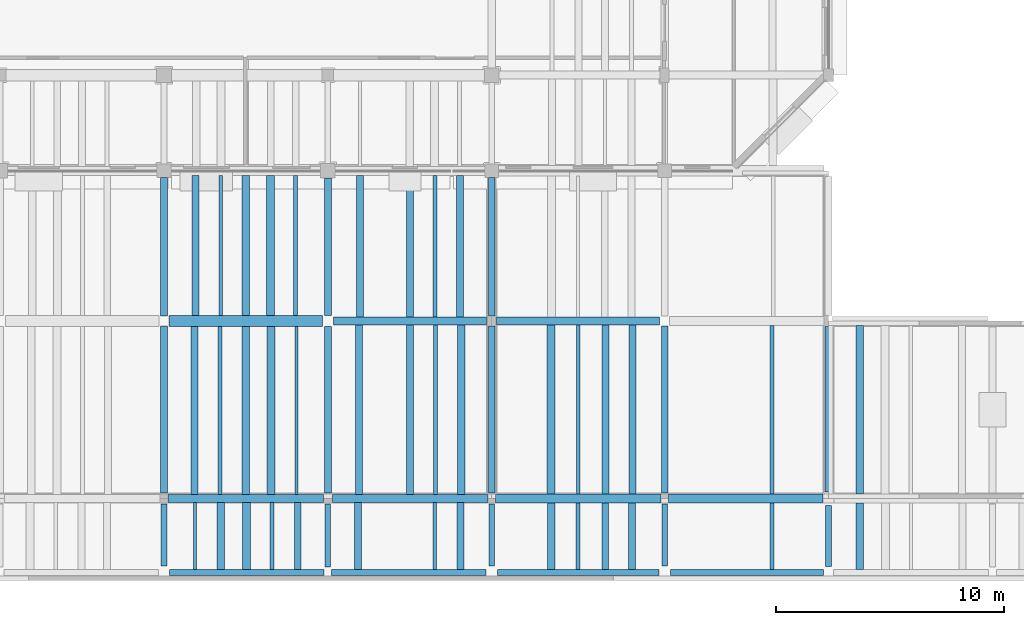
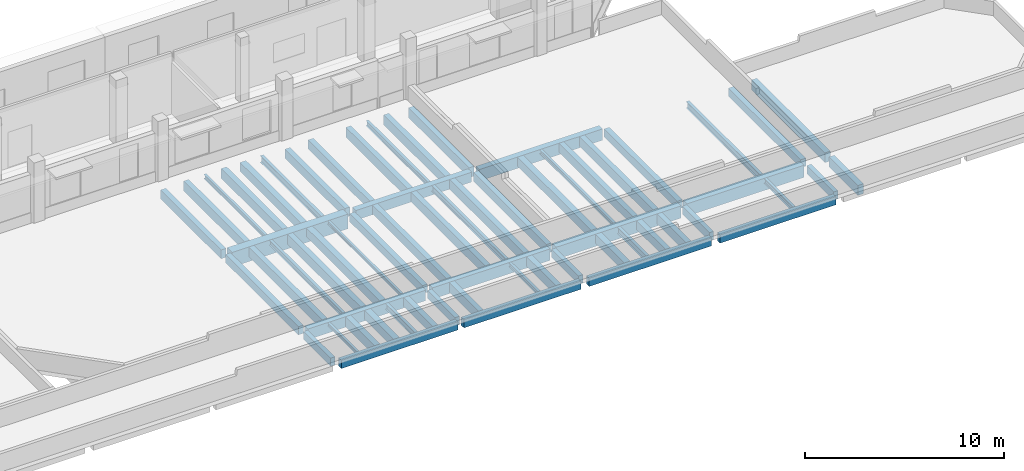
# One storey, part 25 of 105: 62 beams.
"""IFC4 building model written with IfcOpenShell, lengths in metres."""

from ifc_helpers import new_model, si_unit, direction, frame, origin, origin_2d, place, context, subcontext, project, spatial, rectangle, i_section, extrude, material, material_profile, profile_set, type_object, element, save


model = new_model("IFC4")

# Units and contexts
model_context = context("Model", 3, precision=1e-05, world=origin(), true_north=direction((0.0, 1.0)))
body_context = subcontext(model_context, "Body", "Model", "MODEL_VIEW")
ifc_project = project(units=[si_unit("LENGTHUNIT", "METRE"), si_unit("AREAUNIT", "SQUARE_METRE"), si_unit("VOLUMEUNIT", "CUBIC_METRE"), si_unit("PLANEANGLEUNIT", "RADIAN"), si_unit("MASSUNIT", "GRAM", prefix="KILO")], contexts=[model_context])

# Site, building, storey
site_placement = place(None, origin())
site = spatial("IfcSite", under=ifc_project, at=site_placement, CompositionType="ELEMENT")
building_placement = place(site_placement, origin())
building = spatial("IfcBuilding", under=site, at=building_placement, Name="Kelanivale Promenade Academy", CompositionType="ELEMENT")
storey_placement = place(building_placement, frame((0.0, 0.0, 4.199951171875)))
storey = spatial("IfcBuildingStorey", under=building, at=storey_placement, Name="L01", CompositionType="ELEMENT", Elevation=4.199951171875)

# Beams
ifc_material_1 = material(Name="Concrete C35/45", Category="concrete")
ifc_material_profile_1 = material_profile(ifc_material_1, rectangle(XDim=0.5, YDim=0.89990234375, at=origin_2d()), Name="RC-BM 500x900")
ifc_profile_set_1 = profile_set([ifc_material_profile_1], Name="Concrete C35/45")
beam_type_1 = type_object("IfcBeamType", Name="BM-08 RC-BM 500x900", PredefinedType="BEAM", material=ifc_profile_set_1)
beam_1_placement = place(storey_placement, frame((65.02001953125, 11.39990234375, -0.68994140625), z_axis=(1.0, 0.0, 0.0), x_axis=(0.0, 1.0, 0.0)))
element("IfcBeam", 1, at=beam_1_placement, inside=storey, type_object=beam_type_1, Name="L01 girder BM-08", PredefinedType="BEAM", context=body_context, shape_type="SweptSolid", body=[
    extrude(rectangle(XDim=0.5, YDim=0.89990234375, at=origin_2d()), origin(), (0.0, 0.0, 1.0), 6.73486328125),
])
ifc_material_profile_2 = material_profile(ifc_material_1, rectangle(XDim=0.35009765625, YDim=0.60009765625, at=origin_2d()), Name="RC-BM 350x600")
ifc_profile_set_2 = profile_set([ifc_material_profile_2], Name="Concrete C35/45")
beam_type_2 = type_object("IfcBeamType", Name="BM-09 RC-BM 350x600", PredefinedType="BEAM", material=ifc_profile_set_2)
beam_2_placement = place(storey_placement, frame((72.2451171875, 11.39990234375, -0.5400390625), z_axis=(1.0, 0.0, 0.0), x_axis=(0.0, 1.0, 0.0)))
element("IfcBeam", 2, at=beam_2_placement, inside=storey, type_object=beam_type_2, Name="L01 girder BM-09", PredefinedType="BEAM", context=body_context, shape_type="SweptSolid", body=[
    extrude(rectangle(XDim=0.35009765625, YDim=0.60009765625, at=origin_2d()), origin(), (0.0, 0.0, 1.0), 6.73486328125),
])
ifc_material_profile_3 = material_profile(ifc_material_1, rectangle(XDim=0.35009765625, YDim=0.64990234375, at=origin_2d()), Name="RC-BM 350x650")
ifc_profile_set_3 = profile_set([ifc_material_profile_3], Name="Concrete C35/45")
beam_type_3 = type_object("IfcBeamType", Name="BM-10 RC-BM 350x650", PredefinedType="BEAM", material=ifc_profile_set_3)
beam_3_placement = place(storey_placement, frame((64.969970703125, 3.60009765625, -0.56494140625), z_axis=(1.0, 0.0, 0.0), x_axis=(0.0, 1.0, 0.0)))
element("IfcBeam", 3, at=beam_3_placement, inside=storey, type_object=beam_type_3, Name="L01 girder BM-10", PredefinedType="BEAM", context=body_context, shape_type="SweptSolid", body=[
    extrude(rectangle(XDim=0.35009765625, YDim=0.64990234375, at=origin_2d()), origin(), (0.0, 0.0, 1.0), 6.8349609375),
])
ifc_material_profile_4 = material_profile(ifc_material_1, rectangle(XDim=0.35009765625, YDim=0.699951171875, at=origin_2d()), Name="RC-BM 350x700")
ifc_profile_set_4 = profile_set([ifc_material_profile_4], Name="Concrete C35/45")
beam_type_4 = type_object("IfcBeamType", Name="BM-11 RC-BM 350x700", PredefinedType="BEAM", material=ifc_profile_set_4)
beam_4_placement = place(storey_placement, frame((72.195068359375, 3.60009765625, -0.58984375), z_axis=(1.0, 0.0, 0.0), x_axis=(0.0, 1.0, 0.0)))
element("IfcBeam", 4, at=beam_4_placement, inside=storey, type_object=beam_type_4, Name="L01 girder BM-11", PredefinedType="BEAM", context=body_context, shape_type="SweptSolid", body=[
    extrude(rectangle(XDim=0.35009765625, YDim=0.699951171875, at=origin_2d()), origin(), (0.0, 0.0, 1.0), 6.8349609375),
])
beam_5_placement = place(storey_placement, frame((79.419921875, 11.39990234375, -0.58984375), z_axis=(1.0, 0.0, 0.0), x_axis=(0.0, 1.0, 0.0)))
element("IfcBeam", 5, at=beam_5_placement, inside=storey, type_object=beam_type_4, Name="L01 girder BM-11", PredefinedType="BEAM", context=body_context, shape_type="SweptSolid", body=[
    extrude(rectangle(XDim=0.35009765625, YDim=0.699951171875, at=origin_2d()), origin(), (0.0, 0.0, 1.0), 7.16015625),
])
ifc_material_profile_5 = material_profile(ifc_material_1, rectangle(XDim=0.39990234375, YDim=0.75, at=origin_2d()), Name="RC-BM 400x750")
ifc_profile_set_5 = profile_set([ifc_material_profile_5], Name="Concrete C35/45")
beam_type_5 = type_object("IfcBeamType", Name="BM-13 RC-BM 400x750", PredefinedType="BEAM", material=ifc_profile_set_5)
beam_6_placement = place(storey_placement, frame((79.3701171875, 3.60009765625, -0.614990234375), z_axis=(1.0, 0.0, 0.0), x_axis=(0.0, 1.0, 0.0)))
element("IfcBeam", 6, at=beam_6_placement, inside=storey, type_object=beam_type_5, Name="L01 girder BM-13", PredefinedType="BEAM", context=body_context, shape_type="SweptSolid", body=[
    extrude(rectangle(XDim=0.39990234375, YDim=0.75, at=origin_2d()), origin(), (0.0, 0.0, 1.0), 7.259765625),
])
beam_7_placement = place(storey_placement, frame((86.969970703125, 3.60009765625, -0.614990234375), z_axis=(1.0, 0.0, 0.0), x_axis=(0.0, 1.0, 0.0)))
element("IfcBeam", 7, at=beam_7_placement, inside=storey, type_object=beam_type_5, Name="L01 girder BM-13", PredefinedType="BEAM", context=body_context, shape_type="SweptSolid", body=[
    extrude(rectangle(XDim=0.39990234375, YDim=0.75, at=origin_2d()), origin(), (0.0, 0.0, 1.0), 6.784912109375),
])
ifc_material_profile_6 = material_profile(ifc_material_1, rectangle(XDim=0.300048828125, YDim=0.5, at=origin_2d()), Name="RC-BM 300x500")
ifc_profile_set_6 = profile_set([ifc_material_profile_6], Name="Concrete C35/45")
beam_type_6 = type_object("IfcBeamType", Name="JS-01 RC-BM 300x500", PredefinedType="JOIST", material=ifc_profile_set_6)
beam_8_placement = place(storey_placement, frame((64.800048828125, 3.844970703125, -0.489990234375), z_axis=(0.0, 1.0, 0.0), x_axis=(-1.0, 0.0, 0.0)))
element("IfcBeam", 8, at=beam_8_placement, inside=storey, type_object=beam_type_6, Name="L01 beam JS-01", PredefinedType="JOIST", context=body_context, shape_type="SweptSolid", body=[
    extrude(rectangle(XDim=0.300048828125, YDim=0.5, at=origin_2d()), origin(), (0.0, 0.0, 1.0), 7.3349609375),
])
beam_9_placement = place(storey_placement, frame((72.0, 3.844970703125, -0.489990234375), z_axis=(0.0, 1.0, 0.0), x_axis=(-1.0, 0.0, 0.0)))
element("IfcBeam", 9, at=beam_9_placement, inside=storey, type_object=beam_type_6, Name="L01 beam JS-01", PredefinedType="JOIST", context=body_context, shape_type="SweptSolid", body=[
    extrude(rectangle(XDim=0.300048828125, YDim=0.5, at=origin_2d()), origin(), (0.0, 0.0, 1.0), 7.31005859375),
])
beam_10_placement = place(storey_placement, frame((86.800048828125, 3.844970703125, -0.489990234375), z_axis=(0.0, 1.0, 0.0), x_axis=(-1.0, 0.0, 0.0)))
element("IfcBeam", 10, at=beam_10_placement, inside=storey, type_object=beam_type_6, Name="L01 beam JS-01", PredefinedType="JOIST", context=body_context, shape_type="SweptSolid", body=[
    extrude(rectangle(XDim=0.300048828125, YDim=0.5, at=origin_2d()), origin(), (0.0, 0.0, 1.0), 7.3349609375),
])
beam_11_placement = place(storey_placement, frame((94.0, 3.89501953125, -0.489990234375), z_axis=(0.0, 1.0, 0.0), x_axis=(-1.0, 0.0, 0.0)))
element("IfcBeam", 11, at=beam_11_placement, inside=storey, type_object=beam_type_6, Name="L01 beam JS-01", PredefinedType="JOIST", context=body_context, shape_type="SweptSolid", body=[
    extrude(rectangle(XDim=0.300048828125, YDim=0.5, at=origin_2d()), origin(), (0.0, 0.0, 1.0), 7.260009765625),
])
ifc_material_profile_7 = material_profile(ifc_material_1, rectangle(XDim=0.300048828125, YDim=0.550048828125, at=origin_2d()), Name="RC-BM 300x550")
ifc_profile_set_7 = profile_set([ifc_material_profile_7], Name="Concrete C35/45")
beam_type_7 = type_object("IfcBeamType", Name="JS-02 RC-BM 300x550", PredefinedType="JOIST", material=ifc_profile_set_7)
beam_12_placement = place(storey_placement, frame((64.800048828125, 11.6201171875, -0.514892578125), z_axis=(0.0, 1.0, 0.0), x_axis=(-1.0, 0.0, 0.0)))
element("IfcBeam", 12, at=beam_12_placement, inside=storey, type_object=beam_type_7, Name="L01 beam JS-02", PredefinedType="JOIST", context=body_context, shape_type="SweptSolid", body=[
    extrude(rectangle(XDim=0.300048828125, YDim=0.550048828125, at=origin_2d()), origin(), (0.0, 0.0, 1.0), 6.0849609375),
])
beam_13_placement = place(storey_placement, frame((72.0, 11.64501953125, -0.514892578125), z_axis=(0.0, 1.0, 0.0), x_axis=(-1.0, 0.0, 0.0)))
element("IfcBeam", 13, at=beam_13_placement, inside=storey, type_object=beam_type_7, Name="L01 beam JS-02", PredefinedType="JOIST", context=body_context, shape_type="SweptSolid", body=[
    extrude(rectangle(XDim=0.300048828125, YDim=0.550048828125, at=origin_2d()), origin(), (0.0, 0.0, 1.0), 6.034912109375),
])
beam_14_placement = place(storey_placement, frame((79.199951171875, 3.844970703125, -0.514892578125), z_axis=(0.0, 1.0, 0.0), x_axis=(-1.0, 0.0, 0.0)))
element("IfcBeam", 14, at=beam_14_placement, inside=storey, type_object=beam_type_7, Name="L01 beam JS-02", PredefinedType="JOIST", context=body_context, shape_type="SweptSolid", body=[
    extrude(rectangle(XDim=0.300048828125, YDim=0.550048828125, at=origin_2d()), origin(), (0.0, 0.0, 1.0), 7.3349609375),
])
beam_15_placement = place(storey_placement, frame((70.677978515625, 0.489990234375, -0.514892578125), z_axis=(0.0, 1.0, 0.0), x_axis=(-1.0, 0.0, 0.0)))
element("IfcBeam", 15, at=beam_15_placement, inside=storey, type_object=beam_type_7, Name="L01 secondary sub-beam JS-02", PredefinedType="JOIST", context=body_context, shape_type="SweptSolid", body=[
    extrude(rectangle(XDim=0.300048828125, YDim=0.550048828125, at=origin_2d()), origin(), (0.0, 0.0, 1.0), 2.93505859375),
])
beam_16_placement = place(storey_placement, frame((84.18505859375, 0.489990234375, -0.514892578125), z_axis=(0.0, 1.0, 0.0), x_axis=(-1.0, 0.0, 0.0)))
element("IfcBeam", 16, at=beam_16_placement, inside=storey, type_object=beam_type_7, Name="L01 secondary sub-beam JS-02", PredefinedType="JOIST", context=body_context, shape_type="SweptSolid", body=[
    extrude(rectangle(XDim=0.300048828125, YDim=0.550048828125, at=origin_2d()), origin(), (0.0, 0.0, 1.0), 2.909912109375),
])
beam_17_placement = place(storey_placement, frame((73.367919921875, 3.77490234375, -0.514892578125), z_axis=(0.0, 1.0, 0.0), x_axis=(-1.0, 0.0, 0.0)))
element("IfcBeam", 17, at=beam_17_placement, inside=storey, type_object=beam_type_7, Name="L01 secondary sub-beam JS-02", PredefinedType="JOIST", context=body_context, shape_type="SweptSolid", body=[
    extrude(rectangle(XDim=0.300048828125, YDim=0.550048828125, at=origin_2d()), origin(), (0.0, 0.0, 1.0), 7.4501953125),
])
beam_18_placement = place(storey_placement, frame((84.193115234375, 3.800048828125, -0.514892578125), z_axis=(0.0, 1.0, 0.0), x_axis=(-1.0, 0.0, 0.0)))
element("IfcBeam", 18, at=beam_18_placement, inside=storey, type_object=beam_type_7, Name="L01 secondary sub-beam JS-02", PredefinedType="JOIST", context=body_context, shape_type="SweptSolid", body=[
    extrude(rectangle(XDim=0.300048828125, YDim=0.550048828125, at=origin_2d()), origin(), (0.0, 0.0, 1.0), 7.425048828125),
])
beam_19_placement = place(storey_placement, frame((73.4169921875, 11.574951171875, -0.514892578125), z_axis=(0.0, 1.0, 0.0), x_axis=(-1.0, 0.0, 0.0)))
element("IfcBeam", 19, at=beam_19_placement, inside=storey, type_object=beam_type_7, Name="L01 secondary sub-beam JS-02", PredefinedType="JOIST", context=body_context, shape_type="SweptSolid", body=[
    extrude(rectangle(XDim=0.300048828125, YDim=0.550048828125, at=origin_2d()), origin(), (0.0, 0.0, 1.0), 6.22509765625),
])
ifc_material_profile_8 = material_profile(ifc_material_1, rectangle(XDim=0.300048828125, YDim=0.60009765625, at=origin_2d()), Name="RC-BM 300x600")
ifc_profile_set_8 = profile_set([ifc_material_profile_8], Name="Concrete C35/45")
beam_type_8 = type_object("IfcBeamType", Name="JS-03 RC-BM 300x600", PredefinedType="JOIST", material=ifc_profile_set_8)
beam_20_placement = place(storey_placement, frame((79.199951171875, 11.6201171875, -0.5400390625), z_axis=(0.0, 1.0, 0.0), x_axis=(-1.0, 0.0, 0.0)))
element("IfcBeam", 20, at=beam_20_placement, inside=storey, type_object=beam_type_8, Name="L01 beam JS-03", PredefinedType="JOIST", context=body_context, shape_type="SweptSolid", body=[
    extrude(rectangle(XDim=0.300048828125, YDim=0.60009765625, at=origin_2d()), origin(), (0.0, 0.0, 1.0), 6.0849609375),
])
beam_21_placement = place(storey_placement, frame((73.322021484375, 0.489990234375, -0.5400390625), z_axis=(0.0, 1.0, 0.0), x_axis=(-1.0, 0.0, 0.0)))
element("IfcBeam", 21, at=beam_21_placement, inside=storey, type_object=beam_type_8, Name="L01 secondary sub-beam JS-03", PredefinedType="JOIST", context=body_context, shape_type="SweptSolid", body=[
    extrude(rectangle(XDim=0.300048828125, YDim=0.60009765625, at=origin_2d()), origin(), (0.0, 0.0, 1.0), 2.93505859375),
])
beam_22_placement = place(storey_placement, frame((85.3701171875, 0.489990234375, -0.5400390625), z_axis=(0.0, 1.0, 0.0), x_axis=(-1.0, 0.0, 0.0)))
element("IfcBeam", 22, at=beam_22_placement, inside=storey, type_object=beam_type_8, Name="L01 secondary sub-beam JS-03", PredefinedType="JOIST", context=body_context, shape_type="SweptSolid", body=[
    extrude(rectangle(XDim=0.300048828125, YDim=0.60009765625, at=origin_2d()), origin(), (0.0, 0.0, 1.0), 2.909912109375),
])
beam_23_placement = place(storey_placement, frame((66.14208984375, 3.77490234375, -0.5400390625), z_axis=(0.0, 1.0, 0.0), x_axis=(-1.0, 0.0, 0.0)))
element("IfcBeam", 23, at=beam_23_placement, inside=storey, type_object=beam_type_8, Name="L01 secondary sub-beam JS-03", PredefinedType="JOIST", context=body_context, shape_type="SweptSolid", body=[
    extrude(rectangle(XDim=0.300048828125, YDim=0.60009765625, at=origin_2d()), origin(), (0.0, 0.0, 1.0), 7.375),
])
beam_24_placement = place(storey_placement, frame((75.613037109375, 3.77490234375, -0.5400390625), z_axis=(0.0, 1.0, 0.0), x_axis=(-1.0, 0.0, 0.0)))
element("IfcBeam", 24, at=beam_24_placement, inside=storey, type_object=beam_type_8, Name="L01 secondary sub-beam JS-03", PredefinedType="JOIST", context=body_context, shape_type="SweptSolid", body=[
    extrude(rectangle(XDim=0.300048828125, YDim=0.60009765625, at=origin_2d()), origin(), (0.0, 0.0, 1.0), 7.4501953125),
])
beam_25_placement = place(storey_placement, frame((85.386962890625, 3.800048828125, -0.5400390625), z_axis=(0.0, 1.0, 0.0), x_axis=(-1.0, 0.0, 0.0)))
element("IfcBeam", 25, at=beam_25_placement, inside=storey, type_object=beam_type_8, Name="L01 secondary sub-beam JS-03", PredefinedType="JOIST", context=body_context, shape_type="SweptSolid", body=[
    extrude(rectangle(XDim=0.300048828125, YDim=0.60009765625, at=origin_2d()), origin(), (0.0, 0.0, 1.0), 7.425048828125),
])
beam_26_placement = place(storey_placement, frame((66.19189453125, 11.64990234375, -0.5400390625), z_axis=(0.0, 1.0, 0.0), x_axis=(-1.0, 0.0, 0.0)))
element("IfcBeam", 26, at=beam_26_placement, inside=storey, type_object=beam_type_8, Name="L01 secondary sub-beam JS-03", PredefinedType="JOIST", context=body_context, shape_type="SweptSolid", body=[
    extrude(rectangle(XDim=0.300048828125, YDim=0.60009765625, at=origin_2d()), origin(), (0.0, 0.0, 1.0), 6.150146484375),
])
beam_27_placement = place(storey_placement, frame((75.612060546875, 11.574951171875, -0.5400390625), z_axis=(0.0, 1.0, 0.0), x_axis=(-1.0, 0.0, 0.0)))
element("IfcBeam", 27, at=beam_27_placement, inside=storey, type_object=beam_type_8, Name="L01 secondary sub-beam JS-03", PredefinedType="JOIST", context=body_context, shape_type="SweptSolid", body=[
    extrude(rectangle(XDim=0.300048828125, YDim=0.60009765625, at=origin_2d()), origin(), (0.0, 0.0, 1.0), 6.22509765625),
])
ifc_material_profile_9 = material_profile(ifc_material_1, rectangle(XDim=0.320068359375, YDim=0.60009765625, at=origin_2d()), Name="RC-BM 320x600")
ifc_profile_set_9 = profile_set([ifc_material_profile_9], Name="Concrete C35/45")
beam_type_9 = type_object("IfcBeamType", Name="JS-05 RC-BM 320x600", PredefinedType="JOIST", material=ifc_profile_set_9)
for number, where, z_axis, x_axis, name in (
    (28, (67.298095703125, 0.489990234375, -0.5400390625), (0.0, 1.0, 0.0), (-1.0, 0.0, 0.0), "L01 secondary sub-beam JS-05"),
    (29, (77.827880859375, 0.489990234375, -0.5400390625), (0.0, 1.0, 0.0), (-1.0, 0.0, 0.0), "L01 secondary sub-beam JS-05"),
):
    element("IfcBeam", number, at=place(storey_placement, frame(where, z_axis=z_axis, x_axis=x_axis)), inside=storey, type_object=beam_type_9, Name=name, PredefinedType="JOIST", context=body_context, shape_type="SweptSolid", body=[
        extrude(rectangle(XDim=0.320068359375, YDim=0.60009765625, at=origin_2d()), origin(), (0.0, 0.0, 1.0), 2.93505859375),
    ])
beam_28_placement = place(storey_placement, frame((95.3720703125, 0.489990234375, -0.5400390625), z_axis=(0.0, 1.0, 0.0), x_axis=(-1.0, 0.0, 0.0)))
element("IfcBeam", 30, at=beam_28_placement, inside=storey, type_object=beam_type_9, Name="L01 secondary sub-beam JS-05", PredefinedType="JOIST", context=body_context, shape_type="SweptSolid", body=[
    extrude(rectangle(XDim=0.320068359375, YDim=0.60009765625, at=origin_2d()), origin(), (0.0, 0.0, 1.0), 2.909912109375),
])
beam_29_placement = place(storey_placement, frame((68.386962890625, 3.77490234375, -0.5400390625), z_axis=(0.0, 1.0, 0.0), x_axis=(-1.0, 0.0, 0.0)))
element("IfcBeam", 31, at=beam_29_placement, inside=storey, type_object=beam_type_9, Name="L01 secondary sub-beam JS-05", PredefinedType="JOIST", context=body_context, shape_type="SweptSolid", body=[
    extrude(rectangle(XDim=0.320068359375, YDim=0.60009765625, at=origin_2d()), origin(), (0.0, 0.0, 1.0), 7.375),
])
beam_30_placement = place(storey_placement, frame((77.85791015625, 3.77490234375, -0.5400390625), z_axis=(0.0, 1.0, 0.0), x_axis=(-1.0, 0.0, 0.0)))
element("IfcBeam", 32, at=beam_30_placement, inside=storey, type_object=beam_type_9, Name="L01 secondary sub-beam JS-05", PredefinedType="JOIST", context=body_context, shape_type="SweptSolid", body=[
    extrude(rectangle(XDim=0.320068359375, YDim=0.60009765625, at=origin_2d()), origin(), (0.0, 0.0, 1.0), 7.4501953125),
])
beam_31_placement = place(storey_placement, frame((95.367919921875, 3.800048828125, -0.5400390625), z_axis=(0.0, 1.0, 0.0), x_axis=(-1.0, 0.0, 0.0)))
element("IfcBeam", 33, at=beam_31_placement, inside=storey, type_object=beam_type_9, Name="L01 secondary sub-beam JS-05", PredefinedType="JOIST", context=body_context, shape_type="SweptSolid", body=[
    extrude(rectangle(XDim=0.320068359375, YDim=0.60009765625, at=origin_2d()), origin(), (0.0, 0.0, 1.0), 7.39990234375),
])
beam_32_placement = place(storey_placement, frame((68.387939453125, 11.64990234375, -0.5400390625), z_axis=(0.0, 1.0, 0.0), x_axis=(-1.0, 0.0, 0.0)))
element("IfcBeam", 34, at=beam_32_placement, inside=storey, type_object=beam_type_9, Name="L01 secondary sub-beam JS-05", PredefinedType="JOIST", context=body_context, shape_type="SweptSolid", body=[
    extrude(rectangle(XDim=0.320068359375, YDim=0.60009765625, at=origin_2d()), origin(), (0.0, 0.0, 1.0), 6.150146484375),
])
beam_33_placement = place(storey_placement, frame((77.80810546875, 11.574951171875, -0.5400390625), z_axis=(0.0, 1.0, 0.0), x_axis=(-1.0, 0.0, 0.0)))
element("IfcBeam", 35, at=beam_33_placement, inside=storey, type_object=beam_type_9, Name="L01 secondary sub-beam JS-05", PredefinedType="JOIST", context=body_context, shape_type="SweptSolid", body=[
    extrude(rectangle(XDim=0.320068359375, YDim=0.60009765625, at=origin_2d()), origin(), (0.0, 0.0, 1.0), 6.22509765625),
])
ifc_material_profile_10 = material_profile(ifc_material_1, rectangle(XDim=0.35009765625, YDim=0.550048828125, at=origin_2d()), Name="RC-BM 350x550")
ifc_profile_set_10 = profile_set([ifc_material_profile_10], Name="Concrete C35/45")
beam_type_10 = type_object("IfcBeamType", Name="JS-06 RC-BM 350x550", PredefinedType="JOIST", material=ifc_profile_set_10)
beam_34_placement = place(storey_placement, frame((68.425048828125, 0.489990234375, -0.514892578125), z_axis=(0.0, 1.0, 0.0), x_axis=(-1.0, 0.0, 0.0)))
element("IfcBeam", 36, at=beam_34_placement, inside=storey, type_object=beam_type_10, Name="L01 secondary sub-beam JS-06", PredefinedType="JOIST", context=body_context, shape_type="SweptSolid", body=[
    extrude(rectangle(XDim=0.35009765625, YDim=0.550048828125, at=origin_2d()), origin(), (0.0, 0.0, 1.0), 2.93505859375),
])
beam_35_placement = place(storey_placement, frame((81.81494140625, 0.489990234375, -0.514892578125), z_axis=(0.0, 1.0, 0.0), x_axis=(-1.0, 0.0, 0.0)))
element("IfcBeam", 37, at=beam_35_placement, inside=storey, type_object=beam_type_10, Name="L01 secondary sub-beam JS-06", PredefinedType="JOIST", context=body_context, shape_type="SweptSolid", body=[
    extrude(rectangle(XDim=0.35009765625, YDim=0.550048828125, at=origin_2d()), origin(), (0.0, 0.0, 1.0), 2.909912109375),
])
beam_36_placement = place(storey_placement, frame((69.510009765625, 3.77490234375, -0.514892578125), z_axis=(0.0, 1.0, 0.0), x_axis=(-1.0, 0.0, 0.0)))
element("IfcBeam", 38, at=beam_36_placement, inside=storey, type_object=beam_type_10, Name="L01 secondary sub-beam JS-06", PredefinedType="JOIST", context=body_context, shape_type="SweptSolid", body=[
    extrude(rectangle(XDim=0.35009765625, YDim=0.550048828125, at=origin_2d()), origin(), (0.0, 0.0, 1.0), 7.375),
])
beam_37_placement = place(storey_placement, frame((81.806884765625, 3.800048828125, -0.514892578125), z_axis=(0.0, 1.0, 0.0), x_axis=(-1.0, 0.0, 0.0)))
element("IfcBeam", 39, at=beam_37_placement, inside=storey, type_object=beam_type_10, Name="L01 secondary sub-beam JS-06", PredefinedType="JOIST", context=body_context, shape_type="SweptSolid", body=[
    extrude(rectangle(XDim=0.35009765625, YDim=0.550048828125, at=origin_2d()), origin(), (0.0, 0.0, 1.0), 7.425048828125),
])
beam_38_placement = place(storey_placement, frame((69.485107421875, 11.64990234375, -0.514892578125), z_axis=(0.0, 1.0, 0.0), x_axis=(-1.0, 0.0, 0.0)))
element("IfcBeam", 40, at=beam_38_placement, inside=storey, type_object=beam_type_10, Name="L01 secondary sub-beam JS-06", PredefinedType="JOIST", context=body_context, shape_type="SweptSolid", body=[
    extrude(rectangle(XDim=0.35009765625, YDim=0.550048828125, at=origin_2d()), origin(), (0.0, 0.0, 1.0), 6.150146484375),
])
ifc_material_profile_11 = material_profile(ifc_material_1, rectangle(XDim=0.25, YDim=0.5, at=origin_2d()), Name="RC-BM 250x500")
ifc_profile_set_11 = profile_set([ifc_material_profile_11], Name="Concrete C35/45")
beam_type_11 = type_object("IfcBeamType", Name="LN-02 RC-BM 250x500", PredefinedType="LINTEL", material=ifc_profile_set_11)
beam_39_placement = place(storey_placement, frame((64.800048828125, 0.64501953125, -0.489990234375), z_axis=(0.0, 1.0, 0.0), x_axis=(-1.0, 0.0, 0.0)))
element("IfcBeam", 41, at=beam_39_placement, inside=storey, type_object=beam_type_11, Name="L01 beam LN-02", PredefinedType="LINTEL", context=body_context, shape_type="SweptSolid", body=[
    extrude(rectangle(XDim=0.25, YDim=0.5, at=origin_2d()), origin(), (0.0, 0.0, 1.0), 2.7099609375),
])
beam_40_placement = place(storey_placement, frame((72.0, 0.594970703125, -0.489990234375), z_axis=(0.0, 1.0, 0.0), x_axis=(-1.0, 0.0, 0.0)))
element("IfcBeam", 42, at=beam_40_placement, inside=storey, type_object=beam_type_11, Name="L01 beam LN-02", PredefinedType="LINTEL", context=body_context, shape_type="SweptSolid", body=[
    extrude(rectangle(XDim=0.25, YDim=0.5, at=origin_2d()), origin(), (0.0, 0.0, 1.0), 2.760009765625),
])
for number, where, z_axis, x_axis, name in (
    (43, (79.199951171875, 0.64501953125, -0.489990234375), (0.0, 1.0, 0.0), (-1.0, 0.0, 0.0), "L01 beam LN-02"),
    (44, (86.800048828125, 0.64501953125, -0.489990234375), (0.0, 1.0, 0.0), (-1.0, 0.0, 0.0), "L01 beam LN-02"),
):
    element("IfcBeam", number, at=place(storey_placement, frame(where, z_axis=z_axis, x_axis=x_axis)), inside=storey, type_object=beam_type_11, Name=name, PredefinedType="LINTEL", context=body_context, shape_type="SweptSolid", body=[
        extrude(rectangle(XDim=0.25, YDim=0.5, at=origin_2d()), origin(), (0.0, 0.0, 1.0), 2.7099609375),
    ])
beam_41_placement = place(storey_placement, frame((94.0, 0.6201171875, -0.489990234375), z_axis=(0.0, 1.0, 0.0), x_axis=(-1.0, 0.0, 0.0)))
element("IfcBeam", 45, at=beam_41_placement, inside=storey, type_object=beam_type_11, Name="L01 beam LN-02", PredefinedType="LINTEL", context=body_context, shape_type="SweptSolid", body=[
    extrude(rectangle(XDim=0.25, YDim=0.5, at=origin_2d()), origin(), (0.0, 0.0, 1.0), 2.684814453125),
])
ifc_material_2 = material(Name="Steel S355", Category="steel")
ifc_material_profile_12 = material_profile(ifc_material_2, i_section(OverallWidth=0.13330078125, OverallDepth=0.203125, WebThickness=0.005615234375, FlangeThickness=0.0078125, FilletRadius=0.007568359375, at=origin_2d()), Name="UB 203x133x25")
ifc_profile_set_12 = profile_set([ifc_material_profile_12], Name="Steel S355")
beam_type_12 = type_object("IfcBeamType", Name="SB-01 UB 203x133x25", PredefinedType="JOIST", material=ifc_profile_set_12)
beam_42_placement = place(storey_placement, frame((66.172119140625, 0.489990234375, -0.342041015625), z_axis=(0.0, 1.0, 0.0), x_axis=(-1.0, 0.0, 0.0)))
element("IfcBeam", 46, at=beam_42_placement, inside=storey, type_object=beam_type_12, Name="L01 secondary sub-beam SB-01", PredefinedType="JOIST", context=body_context, shape_type="SweptSolid", body=[
    extrude(i_section(OverallWidth=0.13330078125, OverallDepth=0.203125, WebThickness=0.005615234375, FlangeThickness=0.0078125, FilletRadius=0.007568359375, at=origin_2d()), origin(), (0.0, 0.0, 1.0), 2.93505859375),
])
beam_43_placement = place(storey_placement, frame((70.632080078125, 3.77490234375, -0.342041015625), z_axis=(0.0, 1.0, 0.0), x_axis=(-1.0, 0.0, 0.0)))
element("IfcBeam", 47, at=beam_43_placement, inside=storey, type_object=beam_type_12, Name="L01 secondary sub-beam SB-01", PredefinedType="JOIST", context=body_context, shape_type="SweptSolid", body=[
    extrude(i_section(OverallWidth=0.13330078125, OverallDepth=0.203125, WebThickness=0.005615234375, FlangeThickness=0.0078125, FilletRadius=0.007568359375, at=origin_2d()), origin(), (0.0, 0.0, 1.0), 7.375),
])
ifc_material_profile_13 = material_profile(ifc_material_2, i_section(OverallWidth=0.14599609375, OverallDepth=0.25146484375, WebThickness=0.006103515625, FlangeThickness=0.008544921875, FilletRadius=0.007568359375, at=origin_2d()), Name="UB 254x146x31")
ifc_profile_set_13 = profile_set([ifc_material_profile_13], Name="Steel S355")
beam_type_13 = type_object("IfcBeamType", Name="SB-02 UB 254x146x31", PredefinedType="JOIST", material=ifc_profile_set_13)
beam_44_placement = place(storey_placement, frame((76.701904296875, 0.489990234375, -0.365966796875), z_axis=(0.0, 1.0, 0.0), x_axis=(-1.0, 0.0, 0.0)))
element("IfcBeam", 48, at=beam_44_placement, inside=storey, type_object=beam_type_13, Name="L01 secondary sub-beam SB-02", PredefinedType="JOIST", context=body_context, shape_type="SweptSolid", body=[
    extrude(i_section(OverallWidth=0.14599609375, OverallDepth=0.25146484375, WebThickness=0.006103515625, FlangeThickness=0.008544921875, FilletRadius=0.007568359375, at=origin_2d()), origin(), (0.0, 0.0, 1.0), 2.93505859375),
])
beam_45_placement = place(storey_placement, frame((83.0, 3.800048828125, -0.365966796875), z_axis=(0.0, 1.0, 0.0), x_axis=(-1.0, 0.0, 0.0)))
element("IfcBeam", 49, at=beam_45_placement, inside=storey, type_object=beam_type_13, Name="L01 secondary sub-beam SB-02", PredefinedType="JOIST", context=body_context, shape_type="SweptSolid", body=[
    extrude(i_section(OverallWidth=0.14599609375, OverallDepth=0.25146484375, WebThickness=0.006103515625, FlangeThickness=0.008544921875, FilletRadius=0.007568359375, at=origin_2d()), origin(), (0.0, 0.0, 1.0), 7.425048828125),
])
beam_46_placement = place(storey_placement, frame((67.2900390625, 11.64990234375, -0.365966796875), z_axis=(0.0, 1.0, 0.0), x_axis=(-1.0, 0.0, 0.0)))
element("IfcBeam", 50, at=beam_46_placement, inside=storey, type_object=beam_type_13, Name="L01 secondary sub-beam SB-02", PredefinedType="JOIST", context=body_context, shape_type="SweptSolid", body=[
    extrude(i_section(OverallWidth=0.14599609375, OverallDepth=0.25146484375, WebThickness=0.006103515625, FlangeThickness=0.008544921875, FilletRadius=0.007568359375, at=origin_2d()), origin(), (0.0, 0.0, 1.0), 6.150146484375),
])
ifc_material_profile_14 = material_profile(ifc_material_2, i_section(OverallWidth=0.1650390625, OverallDepth=0.303466796875, WebThickness=0.006103515625, FlangeThickness=0.01025390625, FilletRadius=0.0087890625, at=origin_2d()), Name="UB 305x165x40")
ifc_profile_set_14 = profile_set([ifc_material_profile_14], Name="Steel S355")
beam_type_14 = type_object("IfcBeamType", Name="SB-03 UB 305x165x40", PredefinedType="BEAM", material=ifc_profile_set_14)
beam_47_placement = place(storey_placement, frame((91.51806640625, 0.489990234375, -0.391845703125), z_axis=(0.0, 1.0, 0.0), x_axis=(-1.0, 0.0, 0.0)))
element("IfcBeam", 51, at=beam_47_placement, inside=storey, type_object=beam_type_14, Name="L01 secondary sub-beam SB-03", PredefinedType="BEAM", context=body_context, shape_type="SweptSolid", body=[
    extrude(i_section(OverallWidth=0.1650390625, OverallDepth=0.303466796875, WebThickness=0.006103515625, FlangeThickness=0.01025390625, FilletRadius=0.0087890625, at=origin_2d()), origin(), (0.0, 0.0, 1.0), 2.909912109375),
])
beam_48_placement = place(storey_placement, frame((67.264892578125, 3.77490234375, -0.391845703125), z_axis=(0.0, 1.0, 0.0), x_axis=(-1.0, 0.0, 0.0)))
element("IfcBeam", 52, at=beam_48_placement, inside=storey, type_object=beam_type_14, Name="L01 secondary sub-beam SB-03", PredefinedType="BEAM", context=body_context, shape_type="SweptSolid", body=[
    extrude(i_section(OverallWidth=0.1650390625, OverallDepth=0.303466796875, WebThickness=0.006103515625, FlangeThickness=0.01025390625, FilletRadius=0.0087890625, at=origin_2d()), origin(), (0.0, 0.0, 1.0), 7.375),
])
beam_49_placement = place(storey_placement, frame((76.7099609375, 11.574951171875, -0.391845703125), z_axis=(0.0, 1.0, 0.0), x_axis=(-1.0, 0.0, 0.0)))
element("IfcBeam", 53, at=beam_49_placement, inside=storey, type_object=beam_type_14, Name="L01 secondary sub-beam SB-03", PredefinedType="BEAM", context=body_context, shape_type="SweptSolid", body=[
    extrude(i_section(OverallWidth=0.1650390625, OverallDepth=0.303466796875, WebThickness=0.006103515625, FlangeThickness=0.01025390625, FilletRadius=0.0087890625, at=origin_2d()), origin(), (0.0, 0.0, 1.0), 6.22509765625),
])
ifc_material_profile_15 = material_profile(ifc_material_2, i_section(OverallWidth=0.17138671875, OverallDepth=0.35498046875, WebThickness=0.00732421875, FlangeThickness=0.011474609375, FilletRadius=0.01025390625, at=origin_2d()), Name="UB 356x171x51")
ifc_profile_set_15 = profile_set([ifc_material_profile_15], Name="Steel S355")
beam_type_15 = type_object("IfcBeamType", Name="SB-04 UB 356x171x51", PredefinedType="BEAM", material=ifc_profile_set_15)
beam_50_placement = place(storey_placement, frame((69.552001953125, 0.489990234375, -0.41796875), z_axis=(0.0, 1.0, 0.0), x_axis=(-1.0, 0.0, 0.0)))
element("IfcBeam", 54, at=beam_50_placement, inside=storey, type_object=beam_type_15, Name="L01 secondary sub-beam SB-04", PredefinedType="BEAM", context=body_context, shape_type="SweptSolid", body=[
    extrude(i_section(OverallWidth=0.17138671875, OverallDepth=0.35498046875, WebThickness=0.00732421875, FlangeThickness=0.011474609375, FilletRadius=0.01025390625, at=origin_2d()), origin(), (0.0, 0.0, 1.0), 2.93505859375),
])
beam_51_placement = place(storey_placement, frame((76.735107421875, 3.77490234375, -0.41796875), z_axis=(0.0, 1.0, 0.0), x_axis=(-1.0, 0.0, 0.0)))
element("IfcBeam", 55, at=beam_51_placement, inside=storey, type_object=beam_type_15, Name="L01 secondary sub-beam SB-04", PredefinedType="BEAM", context=body_context, shape_type="SweptSolid", body=[
    extrude(i_section(OverallWidth=0.17138671875, OverallDepth=0.35498046875, WebThickness=0.00732421875, FlangeThickness=0.011474609375, FilletRadius=0.01025390625, at=origin_2d()), origin(), (0.0, 0.0, 1.0), 7.4501953125),
])
ifc_material_profile_16 = material_profile(ifc_material_2, i_section(OverallWidth=0.177978515625, OverallDepth=0.406494140625, WebThickness=0.0078125, FlangeThickness=0.0126953125, FilletRadius=0.01025390625, at=origin_2d()), Name="UB 406x178x60")
ifc_profile_set_16 = profile_set([ifc_material_profile_16], Name="Steel S355")
beam_type_16 = type_object("IfcBeamType", Name="SB-05 UB 406x178x60", PredefinedType="BEAM", material=ifc_profile_set_16)
beam_52_placement = place(storey_placement, frame((83.0, 0.489990234375, -0.44287109375), z_axis=(0.0, 1.0, 0.0), x_axis=(-1.0, 0.0, 0.0)))
element("IfcBeam", 56, at=beam_52_placement, inside=storey, type_object=beam_type_16, Name="L01 secondary sub-beam SB-05", PredefinedType="BEAM", context=body_context, shape_type="SweptSolid", body=[
    extrude(i_section(OverallWidth=0.177978515625, OverallDepth=0.406494140625, WebThickness=0.0078125, FlangeThickness=0.0126953125, FilletRadius=0.01025390625, at=origin_2d()), origin(), (0.0, 0.0, 1.0), 2.909912109375),
])
beam_53_placement = place(storey_placement, frame((91.510009765625, 3.800048828125, -0.44287109375), z_axis=(0.0, 1.0, 0.0), x_axis=(-1.0, 0.0, 0.0)))
element("IfcBeam", 57, at=beam_53_placement, inside=storey, type_object=beam_type_16, Name="L01 secondary sub-beam SB-05", PredefinedType="BEAM", context=body_context, shape_type="SweptSolid", body=[
    extrude(i_section(OverallWidth=0.177978515625, OverallDepth=0.406494140625, WebThickness=0.0078125, FlangeThickness=0.0126953125, FilletRadius=0.01025390625, at=origin_2d()), origin(), (0.0, 0.0, 1.0), 7.39990234375),
])
beam_54_placement = place(storey_placement, frame((70.5830078125, 11.64990234375, -0.44287109375), z_axis=(0.0, 1.0, 0.0), x_axis=(-1.0, 0.0, 0.0)))
element("IfcBeam", 58, at=beam_54_placement, inside=storey, type_object=beam_type_16, Name="L01 secondary sub-beam SB-05", PredefinedType="BEAM", context=body_context, shape_type="SweptSolid", body=[
    extrude(i_section(OverallWidth=0.177978515625, OverallDepth=0.406494140625, WebThickness=0.0078125, FlangeThickness=0.0126953125, FilletRadius=0.01025390625, at=origin_2d()), origin(), (0.0, 0.0, 1.0), 6.150146484375),
])
ifc_material_profile_17 = material_profile(ifc_material_1, rectangle(XDim=0.280029296875, YDim=0.5, at=origin_2d()), Name="RC-BM 280x500")
ifc_profile_set_17 = profile_set([ifc_material_profile_17], Name="Concrete C35/45")
beam_type_17 = type_object("IfcBeamType", Name="SP-01 RC-BM 280x500", PredefinedType="SPANDREL", material=ifc_profile_set_17)
for number, where, z_axis, x_axis, name in (
    (59, (65.044921875, 0.35009765625, -0.489990234375), (1.0, 0.0, 0.0), (0.0, 1.0, 0.0), "L01 girder SP-01"),
    (60, (72.169921875, 0.35009765625, -0.489990234375), (1.0, 0.0, 0.0), (0.0, 1.0, 0.0), "L01 girder SP-01"),
):
    element("IfcBeam", number, at=place(storey_placement, frame(where, z_axis=z_axis, x_axis=x_axis)), inside=storey, type_object=beam_type_17, Name=name, PredefinedType="SPANDREL", context=body_context, shape_type="SweptSolid", body=[
        extrude(rectangle(XDim=0.280029296875, YDim=0.5, at=origin_2d()), origin(), (0.0, 0.0, 1.0), 6.78515625),
    ])
beam_55_placement = place(storey_placement, frame((79.445068359375, 0.35009765625, -0.489990234375), z_axis=(1.0, 0.0, 0.0), x_axis=(0.0, 1.0, 0.0)))
element("IfcBeam", 61, at=beam_55_placement, inside=storey, type_object=beam_type_17, Name="L01 girder SP-01", PredefinedType="SPANDREL", context=body_context, shape_type="SweptSolid", body=[
    extrude(rectangle(XDim=0.280029296875, YDim=0.5, at=origin_2d()), origin(), (0.0, 0.0, 1.0), 7.10986328125),
])
beam_56_placement = place(storey_placement, frame((87.044921875, 0.35009765625, -0.489990234375), z_axis=(1.0, 0.0, 0.0), x_axis=(0.0, 1.0, 0.0)))
element("IfcBeam", 62, at=beam_56_placement, inside=storey, type_object=beam_type_17, Name="L01 girder SP-01", PredefinedType="SPANDREL", context=body_context, shape_type="SweptSolid", body=[
    extrude(rectangle(XDim=0.280029296875, YDim=0.5, at=origin_2d()), origin(), (0.0, 0.0, 1.0), 6.735107421875),
])

save(model, "model.ifc")
